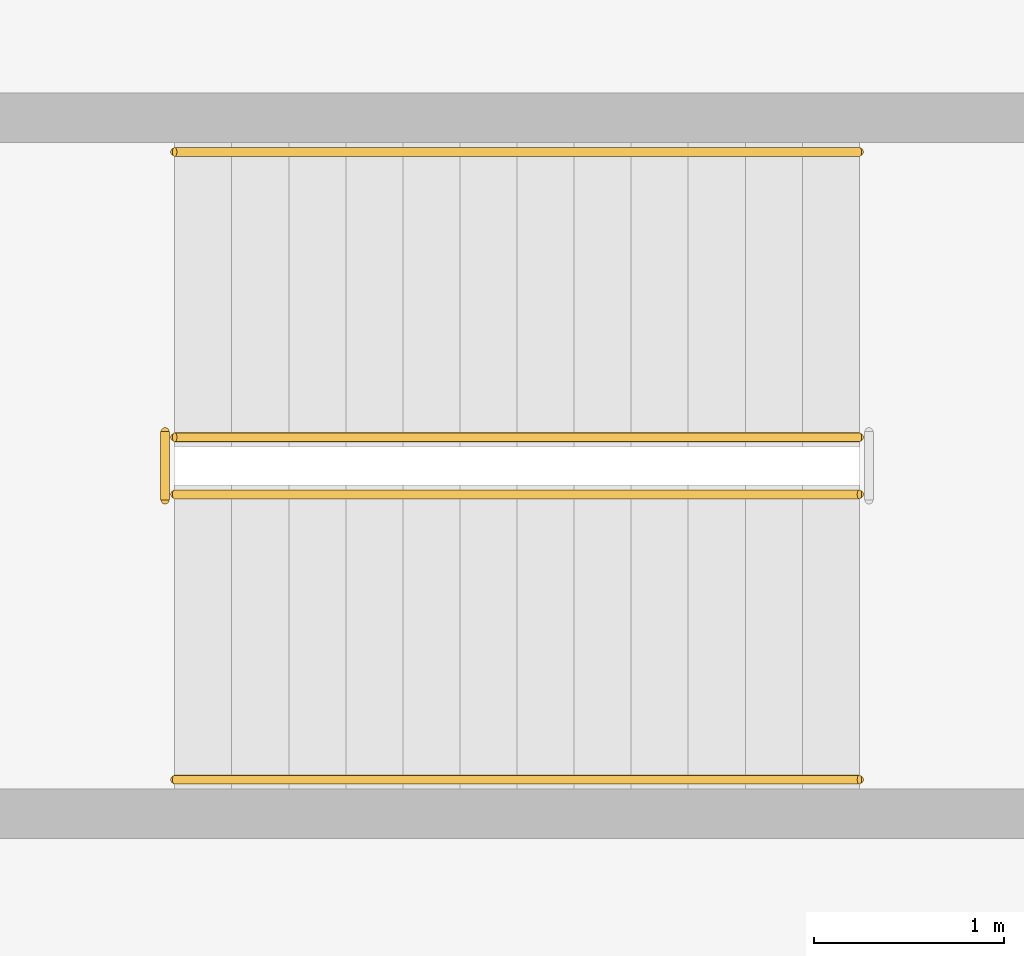
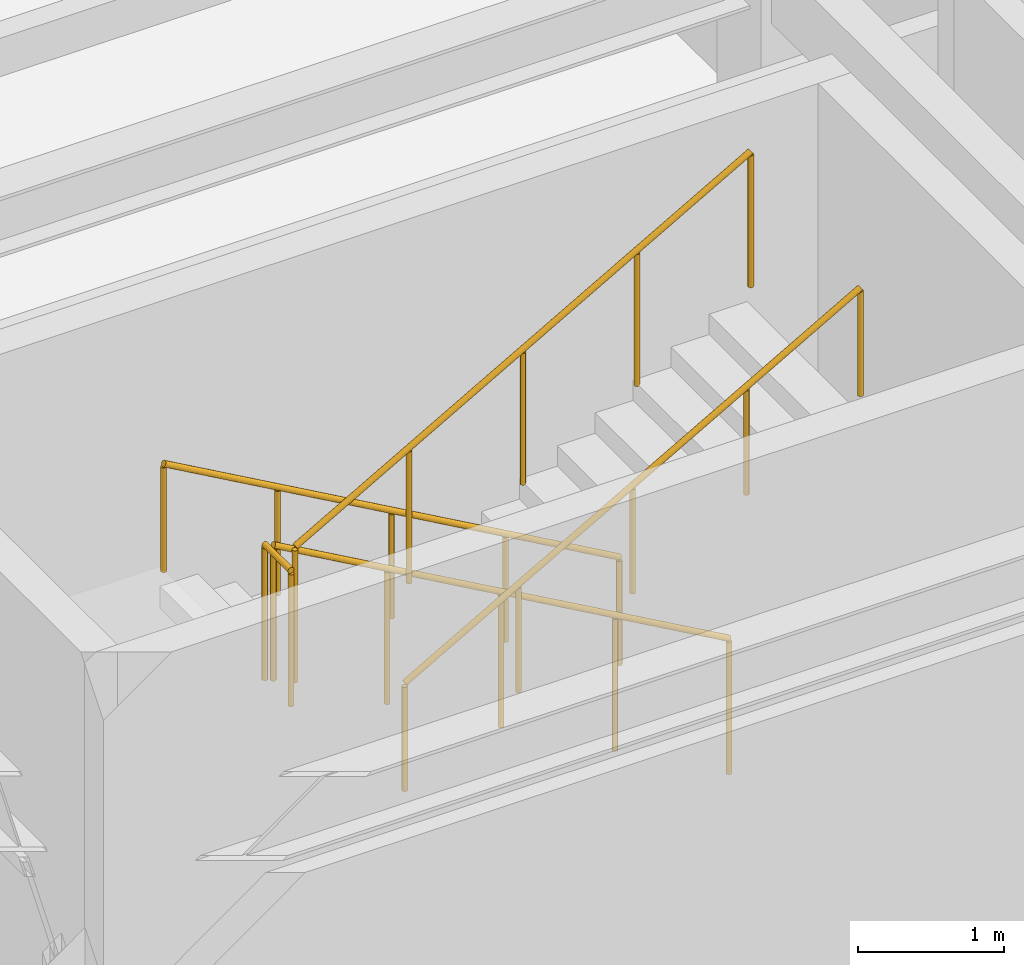
# One storey, part 58 of 69: 5 railings.
"""IFC4 building model written with IfcOpenShell, lengths in metres."""

from ifc_helpers import new_model, si_unit, direction, frame, origin, origin_2d, place, context, subcontext, project, spatial, circle, extrude, material, type_object, element, save


model = new_model("IFC4")

# Units and contexts
model_context = context("Model", 3, precision=1e-05, world=origin(), true_north=direction((0.0, 1.0)))
body_context = subcontext(model_context, "Body", "Model", "MODEL_VIEW")
ifc_project = project(units=[si_unit("LENGTHUNIT", "METRE"), si_unit("AREAUNIT", "SQUARE_METRE"), si_unit("VOLUMEUNIT", "CUBIC_METRE"), si_unit("PLANEANGLEUNIT", "RADIAN"), si_unit("MASSUNIT", "GRAM", prefix="KILO")], contexts=[model_context])

# Site, building, storey
site_placement = place(None, origin())
site = spatial("IfcSite", under=ifc_project, at=site_placement, CompositionType="ELEMENT")
building_placement = place(site_placement, origin())
building = spatial("IfcBuilding", under=site, at=building_placement, Name="Nzembalo Square Collegiate School", CompositionType="ELEMENT")
storey_placement = place(building_placement, frame((0.0, 0.0, 5.10009765625)))
storey = spatial("IfcBuildingStorey", under=building, at=storey_placement, Name="L01", CompositionType="ELEMENT", Elevation=5.10009765625)

# Railings
ifc_material_1 = material(Name="Steel S355", Category="steel")
railing_type_1 = type_object("IfcRailingType", Name="GR01", PredefinedType="GUARDRAIL", material=ifc_material_1)
railing_1_placement = place(storey_placement, frame((137.699951171875, 85.85009765625, 0.159912109375)))
element("IfcRailing", 1, at=railing_1_placement, inside=storey, type_object=railing_type_1, Name="Stair guard GR-14-1", PredefinedType="GUARDRAIL", context=body_context, shape_type="SweptSolid", body=[
    extrude(circle(Radius=0.02392578125, at=origin_2d()), frame((0.0, 0.0, 1.1259765625), z_axis=(-0.870009531279, 0.0, 0.493034902907), x_axis=(0.0, -1.0, 0.0)), (0.0, 0.0, 1.0), 4.1376953125),
    extrude(circle(Radius=0.02099609375, at=origin_2d()), origin(), (0.0, 0.0, 1.0), 1.101806640625),
    extrude(circle(Radius=0.02099609375, at=origin_2d()), frame((-0.89990234375, 0.0, 0.510009765625)), (0.0, 0.0, 1.0), 1.101806640625),
    extrude(circle(Radius=0.02099609375, at=origin_2d()), frame((-1.7998046875, 0.0, 1.02001953125)), (0.0, 0.0, 1.0), 1.101806640625),
    extrude(circle(Radius=0.02099609375, at=origin_2d()), frame((-2.699951171875, 0.0, 1.530029296875)), (0.0, 0.0, 1.0), 1.101806640625),
    extrude(circle(Radius=0.02099609375, at=origin_2d()), frame((-3.599853515625, 0.0, 2.0400390625)), (0.0, 0.0, 1.0), 1.101806640625),
])
railing_2_placement = place(storey_placement, frame((134.050048828125, 85.52001953125, 2.204833984375)))
element("IfcRailing", 2, at=railing_2_placement, inside=storey, type_object=railing_type_1, Name="Stair guard GR-14-2", PredefinedType="GUARDRAIL", context=body_context, shape_type="SweptSolid", body=[
    extrude(circle(Radius=0.02392578125, at=origin_2d()), frame((0.0, 0.0, 1.1259765625), z_axis=(0.0, 1.0, 0.0), x_axis=(-1.0, 0.0, 0.0)), (0.0, 0.0, 1.0), 0.35986328125),
    extrude(circle(Radius=0.02099609375, at=origin_2d()), origin(), (0.0, 0.0, 1.0), 1.101806640625),
    extrude(circle(Radius=0.02099609375, at=origin_2d()), frame((0.0, 0.35986328125, 0.0)), (0.0, 0.0, 1.0), 1.101806640625),
])
railing_3_placement = place(storey_placement, frame((134.10009765625, 85.550048828125, 2.369873046875)))
element("IfcRailing", 3, at=railing_3_placement, inside=storey, type_object=railing_type_1, Name="Stair guard GR-14-3", PredefinedType="GUARDRAIL", context=body_context, shape_type="SweptSolid", body=[
    extrude(circle(Radius=0.02392578125, at=origin_2d()), frame((0.0, 0.0, 1.1259765625), z_axis=(0.870009531279, 0.0, 0.493034902907), x_axis=(0.0, 1.0, 0.0)), (0.0, 0.0, 1.0), 4.1376953125),
    extrude(circle(Radius=0.02099609375, at=origin_2d()), origin(), (0.0, 0.0, 1.0), 1.101806640625),
    extrude(circle(Radius=0.02099609375, at=origin_2d()), frame((0.89990234375, 0.0, 0.510009765625)), (0.0, 0.0, 1.0), 1.101806640625),
    extrude(circle(Radius=0.02099609375, at=origin_2d()), frame((1.7998046875, 0.0, 1.02001953125)), (0.0, 0.0, 1.0), 1.101806640625),
    extrude(circle(Radius=0.02099609375, at=origin_2d()), frame((2.699951171875, 0.0, 1.530029296875)), (0.0, 0.0, 1.0), 1.101806640625),
    extrude(circle(Radius=0.02099609375, at=origin_2d()), frame((3.599853515625, 0.0, 2.0400390625)), (0.0, 0.0, 1.0), 1.101806640625),
])
ifc_material_2 = material(Name="Steel S355", Category="steel")
railing_type_2 = type_object("IfcRailingType", Name="HR01", PredefinedType="HANDRAIL", material=ifc_material_2)
railing_4_placement = place(storey_placement, frame((137.699951171875, 87.35009765625, 0.159912109375)))
element("IfcRailing", 4, at=railing_4_placement, inside=storey, type_object=railing_type_2, Name="Stair handrail HR-14-1", PredefinedType="HANDRAIL", context=body_context, shape_type="SweptSolid", body=[
    extrude(circle(Radius=0.02392578125, at=origin_2d()), frame((0.0, 0.0, 0.89599609375), z_axis=(-0.870009531279, 0.0, 0.493034902907), x_axis=(0.0, -1.0, 0.0)), (0.0, 0.0, 1.0), 4.1376953125),
    extrude(circle(Radius=0.02099609375, at=origin_2d()), origin(), (0.0, 0.0, 1.0), 0.871826171875),
    extrude(circle(Radius=0.02099609375, at=origin_2d()), frame((-0.89990234375, 0.0, 0.510009765625)), (0.0, 0.0, 1.0), 0.871826171875),
    extrude(circle(Radius=0.02099609375, at=origin_2d()), frame((-1.7998046875, 0.0, 1.02001953125)), (0.0, 0.0, 1.0), 0.871826171875),
    extrude(circle(Radius=0.02099609375, at=origin_2d()), frame((-2.699951171875, 0.0, 1.530029296875)), (0.0, 0.0, 1.0), 0.871826171875),
    extrude(circle(Radius=0.02099609375, at=origin_2d()), frame((-3.599853515625, 0.0, 2.0400390625)), (0.0, 0.0, 1.0), 0.871826171875),
])
railing_5_placement = place(storey_placement, frame((134.10009765625, 84.050048828125, 2.369873046875)))
element("IfcRailing", 5, at=railing_5_placement, inside=storey, type_object=railing_type_2, Name="Stair handrail HR-14-2", PredefinedType="HANDRAIL", context=body_context, shape_type="SweptSolid", body=[
    extrude(circle(Radius=0.02392578125, at=origin_2d()), frame((0.0, 0.0, 0.89599609375), z_axis=(0.870009531279, 0.0, 0.493034902907), x_axis=(0.0, 1.0, 0.0)), (0.0, 0.0, 1.0), 4.1376953125),
    extrude(circle(Radius=0.02099609375, at=origin_2d()), origin(), (0.0, 0.0, 1.0), 0.871826171875),
    extrude(circle(Radius=0.02099609375, at=origin_2d()), frame((0.89990234375, 0.0, 0.510009765625)), (0.0, 0.0, 1.0), 0.871826171875),
    extrude(circle(Radius=0.02099609375, at=origin_2d()), frame((1.7998046875, 0.0, 1.02001953125)), (0.0, 0.0, 1.0), 0.871826171875),
    extrude(circle(Radius=0.02099609375, at=origin_2d()), frame((2.699951171875, 0.0, 1.530029296875)), (0.0, 0.0, 1.0), 0.871826171875),
    extrude(circle(Radius=0.02099609375, at=origin_2d()), frame((3.599853515625, 0.0, 2.0400390625)), (0.0, 0.0, 1.0), 0.871826171875),
])

save(model, "model.ifc")
